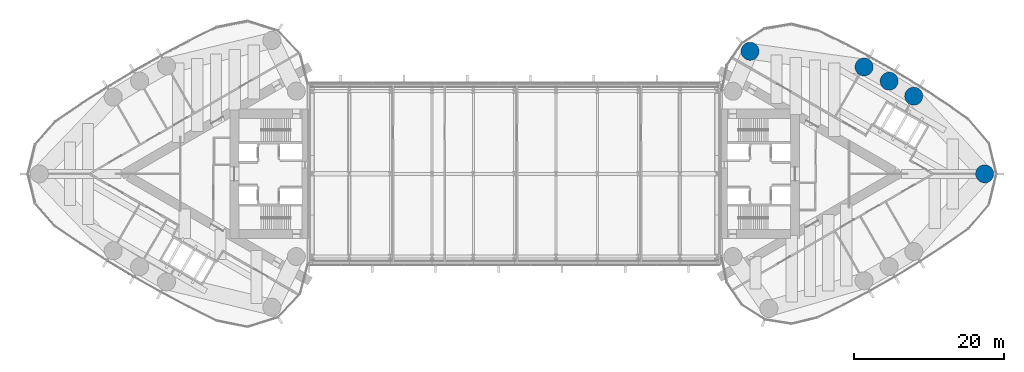
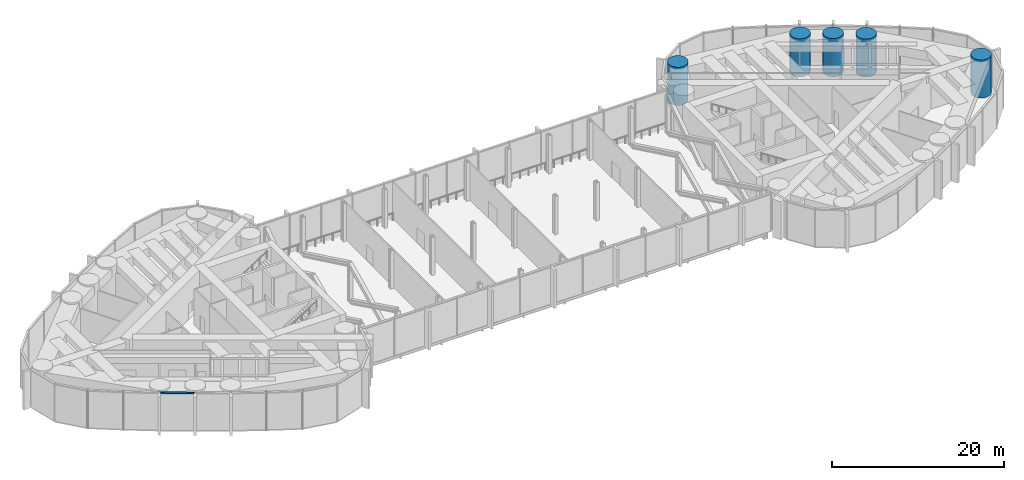
# One storey, part 2 of 21: 5 columns, 1 member, 1 element without a shape of its own.
"""IFC4 building model written with IfcOpenShell, lengths in metres."""

from ifc_helpers import new_model, si_unit, direction, frame, origin, origin_2d, place, context, subcontext, project, spatial, rectangle, circle, extrude, material, material_profile, profile_set, type_object, element, aggregate, save


model = new_model("IFC4")

# Units and contexts
model_context = context("Model", 3, precision=1e-05, world=origin(), true_north=direction((0.0, 1.0)))
body_context = subcontext(model_context, "Body", "Model", "MODEL_VIEW")
ifc_project = project(units=[si_unit("LENGTHUNIT", "METRE"), si_unit("AREAUNIT", "SQUARE_METRE"), si_unit("VOLUMEUNIT", "CUBIC_METRE"), si_unit("PLANEANGLEUNIT", "RADIAN"), si_unit("MASSUNIT", "GRAM", prefix="KILO")], contexts=[model_context])

# Site, building, storey
site_placement = place(None, origin())
site = spatial("IfcSite", under=ifc_project, at=site_placement, CompositionType="ELEMENT")
building_placement = place(site_placement, origin())
building = spatial("IfcBuilding", under=site, at=building_placement, Name="Lancet Gate Hotel", CompositionType="ELEMENT")
storey_placement = place(building_placement, frame((0.0, 0.0, 251.89990234375)))
storey = spatial("IfcBuildingStorey", under=building, at=storey_placement, Name="L67", CompositionType="ELEMENT", Elevation=251.89990234375)

# Columns
ifc_material_1 = material(Name="Concrete C50/60", Category="concrete")
ifc_material_profile_1 = material_profile(ifc_material_1, circle(Radius=1.199951171875, at=origin_2d()), Name="RC D2400")
ifc_profile_set_1 = profile_set([ifc_material_profile_1], Name="Concrete C50/60")
column_type = type_object("IfcColumnType", Name="Perimeter column RC D2400", PredefinedType="COLUMN", material=ifc_profile_set_1)
for number, where, z_axis, x_axis, name in (
    (1, (62.54150390625, 0.0, 0.0), (0.0, 0.0, 1.0), (1.0, 0.0, 0.0), "T2 column CA L67"),
    (2, (31.328369140625, 16.310791015625, 0.0), (0.0, 0.0, 1.0), (1.0, 0.0, 0.0), "T2 column CN L67"),
    (3, (53.107666015625, 10.333984375, 0.0), (0.0, 0.0, 1.0), (1.0, 0.0, 0.0), "T2 column ON1 L67"),
    (4, (49.833984375, 12.331787109375, 0.0), (0.0, 0.0, 1.0), (1.0, 0.0, 0.0), "T2 column ON2 L67"),
    (5, (46.499267578125, 14.2255859375, 0.0), (0.0, 0.0, 1.0), (1.0, 0.0, 0.0), "T2 column ON3 L67"),
):
    element("IfcColumn", number, at=place(storey_placement, frame(where, z_axis=z_axis, x_axis=x_axis)), inside=storey, type_object=column_type, Name=name, PredefinedType="COLUMN", context=body_context, shape_type="SweptSolid", body=[
        extrude(circle(Radius=1.199951171875, at=origin_2d()), origin(), (0.0, 0.0, 1.0), 5.400146484375),
    ])

# Curtain wall, member
ifc_material_2 = material(Name="Aluminium curtain wall", Category="aluminium")
curtain_wall_type = type_object("IfcCurtainWallType", Name="Sky deck full-height glazing", PredefinedType="USERDEFINED", material=ifc_material_2)
curtain_wall_placement = place(storey_placement, origin())
curtain_wall = element("IfcCurtainWall", 6, at=curtain_wall_placement, inside=storey, type_object=curtain_wall_type, Name="T1 L67 curtain wall 1", ObjectType="UNITISED CURTAIN WALL", PredefinedType="USERDEFINED")
ifc_material_3 = material(Name="Aluminium transom", Category="aluminium")
ifc_material_profile_2 = material_profile(ifc_material_3, rectangle(XDim=0.25, YDim=0.14990234375, at=origin_2d()), Name="TRANSOM 250x150")
ifc_profile_set_2 = profile_set([ifc_material_profile_2], Name="Aluminium transom")
member_type = type_object("IfcMemberType", Name="Aluminium transom 250x150", PredefinedType="USERDEFINED", material=ifc_profile_set_2)
member_placement = place(storey_placement, frame((-54.197998046875, -11.55224609375, 5.3251953125), z_axis=(0.856362214892, -0.516375596737, 0.0), x_axis=(0.516375596737, 0.856362214892, 0.0)))
member = element("IfcMember", 7, at=member_placement, type_object=member_type, Name="T1 L67 curtain wall 1 transom 17", ObjectType="TRANSOM", PredefinedType="USERDEFINED", context=body_context, shape_type="SweptSolid", body=[
    extrude(rectangle(XDim=0.25, YDim=0.14990234375, at=origin_2d()), origin(), (0.0, 0.0, 1.0), 4.08447265625),
])
aggregate(curtain_wall, [member])

save(model, "model.ifc")
